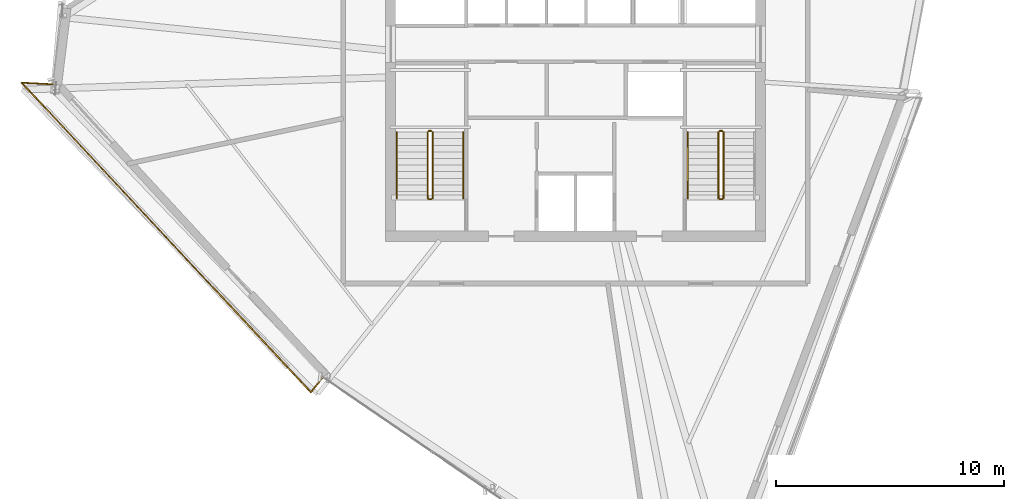
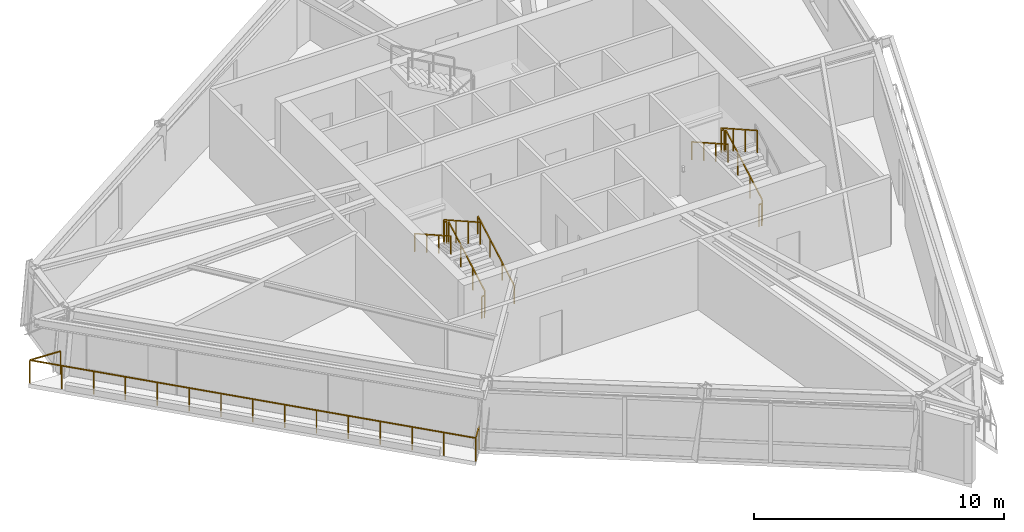
# One storey, part 11 of 13: 12 railings.
"""IFC4 building model written with IfcOpenShell, lengths in metres."""

from ifc_helpers import new_model, si_unit, direction, frame, origin, origin_2d, place, context, subcontext, project, spatial, rectangle, extrude, material, type_object, element, save


model = new_model("IFC4")

# Units and contexts
model_context = context("Model", 3, precision=1e-05, world=origin(), true_north=direction((0.0, 1.0)))
body_context = subcontext(model_context, "Body", "Model", "MODEL_VIEW")
ifc_project = project(units=[si_unit("LENGTHUNIT", "METRE"), si_unit("AREAUNIT", "SQUARE_METRE"), si_unit("VOLUMEUNIT", "CUBIC_METRE"), si_unit("PLANEANGLEUNIT", "RADIAN"), si_unit("MASSUNIT", "GRAM", prefix="KILO")], contexts=[model_context])

# Site, building, storey
site_placement = place(None, origin())
site = spatial("IfcSite", under=ifc_project, at=site_placement, CompositionType="ELEMENT")
building_placement = place(site_placement, origin())
building = spatial("IfcBuilding", under=site, at=building_placement, Name="Olszyna Solenne Hotel", CompositionType="ELEMENT")
storey_placement = place(building_placement, frame((0.0, 0.0, 241.699951171875)))
storey = spatial("IfcBuildingStorey", under=building, at=storey_placement, Name="L64", CompositionType="ELEMENT", Elevation=241.699951171875)

# Railings
ifc_material_1 = material(Name="Anodised bronze aluminium", Category="aluminium")
railing_type_1 = type_object("IfcRailingType", Name="GR-110", PredefinedType="BALUSTRADE", material=ifc_material_1)
railing_1_placement = place(storey_placement, frame((15.0419921875, 25.95068359375, 0.0)))
element("IfcRailing", 1, at=railing_1_placement, inside=storey, type_object=railing_type_1, Name="Loggia balcony balustrade guard GR-L64-LG2", PredefinedType="BALUSTRADE", context=body_context, shape_type="SweptSolid", body=[
    extrude(rectangle(XDim=0.048095703125, YDim=0.048095703125, at=origin_2d()), frame((0.0, 0.0, 1.1259765625), z_axis=(-0.998598199396, 0.052930484244, 0.0), x_axis=(-0.052930484244, -0.998598199396, 0.0)), (0.0, 0.0, 1.0), 1.379150390625),
    extrude(rectangle(XDim=0.048095703125, YDim=0.048095703125, at=origin_2d()), frame((-1.377197265625, 0.072998046875, 1.1259765625), z_axis=(0.682702772751, -0.730696191367, 0.0), x_axis=(0.730696191367, 0.682702772751, 0.0)), (0.0, 0.0, 1.0), 18.61328125),
    extrude(rectangle(XDim=0.048095703125, YDim=0.048095703125, at=origin_2d()), frame((11.330078125, -13.527587890625, 1.1259765625), z_axis=(0.631602301561, 0.775292546503, 0.0), x_axis=(-0.775292546503, 0.631602301561, 0.0)), (0.0, 0.0, 1.0), 0.84619140625),
    extrude(rectangle(XDim=0.0419921875, YDim=0.0419921875, at=origin_2d()), origin(), (0.0, 0.0, 1.0), 1.101806640625),
    extrude(rectangle(XDim=0.0419921875, YDim=0.0419921875, at=origin_2d()), frame((-1.377197265625, 0.072998046875, 0.0)), (0.0, 0.0, 1.0), 1.101806640625),
    extrude(rectangle(XDim=0.0419921875, YDim=0.0419921875, at=origin_2d()), frame((-0.469482421875, -0.8984375, 0.0)), (0.0, 0.0, 1.0), 1.101806640625),
    extrude(rectangle(XDim=0.0419921875, YDim=0.0419921875, at=origin_2d()), frame((0.438232421875, -1.869873046875, 0.0)), (0.0, 0.0, 1.0), 1.101806640625),
    extrude(rectangle(XDim=0.0419921875, YDim=0.0419921875, at=origin_2d()), frame((1.345703125, -2.84130859375, 0.0)), (0.0, 0.0, 1.0), 1.101806640625),
    extrude(rectangle(XDim=0.0419921875, YDim=0.0419921875, at=origin_2d()), frame((2.25341796875, -3.81298828125, 0.0)), (0.0, 0.0, 1.0), 1.101806640625),
    extrude(rectangle(XDim=0.0419921875, YDim=0.0419921875, at=origin_2d()), frame((3.1611328125, -4.784423828125, 0.0)), (0.0, 0.0, 1.0), 1.101806640625),
    extrude(rectangle(XDim=0.0419921875, YDim=0.0419921875, at=origin_2d()), frame((4.06884765625, -5.755859375, 0.0)), (0.0, 0.0, 1.0), 1.101806640625),
    extrude(rectangle(XDim=0.0419921875, YDim=0.0419921875, at=origin_2d()), frame((4.9765625, -6.727294921875, 0.0)), (0.0, 0.0, 1.0), 1.101806640625),
    extrude(rectangle(XDim=0.0419921875, YDim=0.0419921875, at=origin_2d()), frame((5.884033203125, -7.69873046875, 0.0)), (0.0, 0.0, 1.0), 1.101806640625),
    extrude(rectangle(XDim=0.0419921875, YDim=0.0419921875, at=origin_2d()), frame((6.791748046875, -8.670166015625, 0.0)), (0.0, 0.0, 1.0), 1.101806640625),
    extrude(rectangle(XDim=0.0419921875, YDim=0.0419921875, at=origin_2d()), frame((7.699462890625, -9.6416015625, 0.0)), (0.0, 0.0, 1.0), 1.101806640625),
    extrude(rectangle(XDim=0.0419921875, YDim=0.0419921875, at=origin_2d()), frame((8.607177734375, -10.61328125, 0.0)), (0.0, 0.0, 1.0), 1.101806640625),
    extrude(rectangle(XDim=0.0419921875, YDim=0.0419921875, at=origin_2d()), frame((9.5146484375, -11.584716796875, 0.0)), (0.0, 0.0, 1.0), 1.101806640625),
    extrude(rectangle(XDim=0.0419921875, YDim=0.0419921875, at=origin_2d()), frame((10.42236328125, -12.55615234375, 0.0)), (0.0, 0.0, 1.0), 1.101806640625),
    extrude(rectangle(XDim=0.0419921875, YDim=0.0419921875, at=origin_2d()), frame((11.330078125, -13.527587890625, 0.0)), (0.0, 0.0, 1.0), 1.101806640625),
    extrude(rectangle(XDim=0.0419921875, YDim=0.0419921875, at=origin_2d()), frame((11.864501953125, -12.87158203125, 0.0)), (0.0, 0.0, 1.0), 1.101806640625),
])
railing_2_placement = place(storey_placement, frame((31.719970703125, 20.949951171875, 0.16357421875)))
element("IfcRailing", 2, at=railing_2_placement, inside=storey, type_object=railing_type_1, Name="L64 ST1 stair guard 1", PredefinedType="BALUSTRADE", context=body_context, shape_type="SweptSolid", body=[
    extrude(rectangle(XDim=0.048095703125, YDim=0.048095703125, at=origin_2d()), frame((0.0, 0.0, 1.076171875), z_axis=(0.0, 0.870914908162, 0.491433843708), x_axis=(-1.0, 0.0, 0.0)), (0.0, 0.0, 1.0), 3.330078125),
    extrude(rectangle(XDim=0.0419921875, YDim=0.0419921875, at=origin_2d()), origin(), (0.0, 0.0, 1.0), 1.052001953125),
    extrude(rectangle(XDim=0.0419921875, YDim=0.0419921875, at=origin_2d()), frame((0.0, 0.966796875, 0.54541015625)), (0.0, 0.0, 1.0), 1.052001953125),
    extrude(rectangle(XDim=0.0419921875, YDim=0.0419921875, at=origin_2d()), frame((0.0, 1.933349609375, 1.091064453125)), (0.0, 0.0, 1.0), 1.052001953125),
    extrude(rectangle(XDim=0.0419921875, YDim=0.0419921875, at=origin_2d()), frame((0.0, 2.900146484375, 1.636474609375)), (0.0, 0.0, 1.0), 1.052001953125),
])
railing_3_placement = place(storey_placement, frame((31.669921875, 23.89990234375, 1.800048828125)))
element("IfcRailing", 3, at=railing_3_placement, inside=storey, type_object=railing_type_1, Name="L64 ST1 stair guard 2", PredefinedType="BALUSTRADE", context=body_context, shape_type="SweptSolid", body=[
    extrude(rectangle(XDim=0.048095703125, YDim=0.048095703125, at=origin_2d()), frame((0.0, 0.0, 1.076171875), z_axis=(-1.0, 0.0, 0.0), x_axis=(0.0, -1.0, 0.0)), (0.0, 0.0, 1.0), 0.119873046875),
    extrude(rectangle(XDim=0.0419921875, YDim=0.0419921875, at=origin_2d()), origin(), (0.0, 0.0, 1.0), 1.052001953125),
    extrude(rectangle(XDim=0.0419921875, YDim=0.0419921875, at=origin_2d()), frame((-0.119873046875, 0.0, 0.0)), (0.0, 0.0, 1.0), 1.052001953125),
])
railing_4_placement = place(storey_placement, frame((31.5, 23.85009765625, 1.963623046875)))
element("IfcRailing", 4, at=railing_4_placement, inside=storey, type_object=railing_type_1, Name="L64 ST1 stair guard 3", PredefinedType="BALUSTRADE", context=body_context, shape_type="SweptSolid", body=[
    extrude(rectangle(XDim=0.048095703125, YDim=0.048095703125, at=origin_2d()), frame((0.0, 0.0, 1.076171875), z_axis=(0.0, -0.870914908162, 0.491433843708), x_axis=(1.0, 0.0, 0.0)), (0.0, 0.0, 1.0), 3.330078125),
    extrude(rectangle(XDim=0.0419921875, YDim=0.0419921875, at=origin_2d()), origin(), (0.0, 0.0, 1.0), 1.052001953125),
    extrude(rectangle(XDim=0.0419921875, YDim=0.0419921875, at=origin_2d()), frame((0.0, -0.966796875, 0.54541015625)), (0.0, 0.0, 1.0), 1.052001953125),
    extrude(rectangle(XDim=0.0419921875, YDim=0.0419921875, at=origin_2d()), frame((0.0, -1.933349609375, 1.091064453125)), (0.0, 0.0, 1.0), 1.052001953125),
    extrude(rectangle(XDim=0.0419921875, YDim=0.0419921875, at=origin_2d()), frame((0.0, -2.900146484375, 1.636474609375)), (0.0, 0.0, 1.0), 1.052001953125),
])
railing_5_placement = place(storey_placement, frame((31.669921875, 20.89990234375, 0.0)))
element("IfcRailing", 5, at=railing_5_placement, inside=storey, type_object=railing_type_1, Name="L64 ST1 stair guard 4", PredefinedType="BALUSTRADE", context=body_context, shape_type="SweptSolid", body=[
    extrude(rectangle(XDim=0.048095703125, YDim=0.048095703125, at=origin_2d()), frame((0.0, 0.0, 1.076171875), z_axis=(-1.0, 0.0, 0.0), x_axis=(0.0, -1.0, 0.0)), (0.0, 0.0, 1.0), 0.119873046875),
    extrude(rectangle(XDim=0.0419921875, YDim=0.0419921875, at=origin_2d()), origin(), (0.0, 0.0, 1.0), 1.052001953125),
    extrude(rectangle(XDim=0.0419921875, YDim=0.0419921875, at=origin_2d()), frame((-0.119873046875, 0.0, 0.0)), (0.0, 0.0, 1.0), 1.052001953125),
])
railing_6_placement = place(storey_placement, frame((44.5, 20.949951171875, 0.16357421875)))
element("IfcRailing", 6, at=railing_6_placement, inside=storey, type_object=railing_type_1, Name="L64 ST2 stair guard 1", PredefinedType="BALUSTRADE", context=body_context, shape_type="SweptSolid", body=[
    extrude(rectangle(XDim=0.048095703125, YDim=0.048095703125, at=origin_2d()), frame((0.0, 0.0, 1.076171875), z_axis=(0.0, 0.870914908162, 0.491433843708), x_axis=(-1.0, 0.0, 0.0)), (0.0, 0.0, 1.0), 3.330078125),
    extrude(rectangle(XDim=0.0419921875, YDim=0.0419921875, at=origin_2d()), origin(), (0.0, 0.0, 1.0), 1.052001953125),
    extrude(rectangle(XDim=0.0419921875, YDim=0.0419921875, at=origin_2d()), frame((0.0, 0.966796875, 0.54541015625)), (0.0, 0.0, 1.0), 1.052001953125),
    extrude(rectangle(XDim=0.0419921875, YDim=0.0419921875, at=origin_2d()), frame((0.0, 1.933349609375, 1.091064453125)), (0.0, 0.0, 1.0), 1.052001953125),
    extrude(rectangle(XDim=0.0419921875, YDim=0.0419921875, at=origin_2d()), frame((0.0, 2.900146484375, 1.636474609375)), (0.0, 0.0, 1.0), 1.052001953125),
])
railing_7_placement = place(storey_placement, frame((44.449951171875, 23.89990234375, 1.800048828125)))
element("IfcRailing", 7, at=railing_7_placement, inside=storey, type_object=railing_type_1, Name="L64 ST2 stair guard 2", PredefinedType="BALUSTRADE", context=body_context, shape_type="SweptSolid", body=[
    extrude(rectangle(XDim=0.048095703125, YDim=0.048095703125, at=origin_2d()), frame((0.0, 0.0, 1.076171875), z_axis=(-1.0, 0.0, 0.0), x_axis=(0.0, -1.0, 0.0)), (0.0, 0.0, 1.0), 0.119873046875),
    extrude(rectangle(XDim=0.0419921875, YDim=0.0419921875, at=origin_2d()), origin(), (0.0, 0.0, 1.0), 1.052001953125),
    extrude(rectangle(XDim=0.0419921875, YDim=0.0419921875, at=origin_2d()), frame((-0.119873046875, 0.0, 0.0)), (0.0, 0.0, 1.0), 1.052001953125),
])
railing_8_placement = place(storey_placement, frame((44.280029296875, 23.85009765625, 1.963623046875)))
element("IfcRailing", 8, at=railing_8_placement, inside=storey, type_object=railing_type_1, Name="L64 ST2 stair guard 3", PredefinedType="BALUSTRADE", context=body_context, shape_type="SweptSolid", body=[
    extrude(rectangle(XDim=0.048095703125, YDim=0.048095703125, at=origin_2d()), frame((0.0, 0.0, 1.076171875), z_axis=(0.0, -0.870914908162, 0.491433843708), x_axis=(1.0, 0.0, 0.0)), (0.0, 0.0, 1.0), 3.330078125),
    extrude(rectangle(XDim=0.0419921875, YDim=0.0419921875, at=origin_2d()), origin(), (0.0, 0.0, 1.0), 1.052001953125),
    extrude(rectangle(XDim=0.0419921875, YDim=0.0419921875, at=origin_2d()), frame((0.0, -0.966796875, 0.54541015625)), (0.0, 0.0, 1.0), 1.052001953125),
    extrude(rectangle(XDim=0.0419921875, YDim=0.0419921875, at=origin_2d()), frame((0.0, -1.933349609375, 1.091064453125)), (0.0, 0.0, 1.0), 1.052001953125),
    extrude(rectangle(XDim=0.0419921875, YDim=0.0419921875, at=origin_2d()), frame((0.0, -2.900146484375, 1.636474609375)), (0.0, 0.0, 1.0), 1.052001953125),
])
railing_9_placement = place(storey_placement, frame((44.449951171875, 20.89990234375, 0.0)))
element("IfcRailing", 9, at=railing_9_placement, inside=storey, type_object=railing_type_1, Name="L64 ST2 stair guard 4", PredefinedType="BALUSTRADE", context=body_context, shape_type="SweptSolid", body=[
    extrude(rectangle(XDim=0.048095703125, YDim=0.048095703125, at=origin_2d()), frame((0.0, 0.0, 1.076171875), z_axis=(-1.0, 0.0, 0.0), x_axis=(0.0, -1.0, 0.0)), (0.0, 0.0, 1.0), 0.119873046875),
    extrude(rectangle(XDim=0.0419921875, YDim=0.0419921875, at=origin_2d()), origin(), (0.0, 0.0, 1.0), 1.052001953125),
    extrude(rectangle(XDim=0.0419921875, YDim=0.0419921875, at=origin_2d()), frame((-0.119873046875, 0.0, 0.0)), (0.0, 0.0, 1.0), 1.052001953125),
])
ifc_material_2 = material(Name="Steel S355J2", Category="steel")
railing_type_2 = type_object("IfcRailingType", Name="HR-090", PredefinedType="HANDRAIL", material=ifc_material_2)
railing_10_placement = place(storey_placement, frame((33.070068359375, 20.949951171875, 0.16357421875)))
element("IfcRailing", 10, at=railing_10_placement, inside=storey, type_object=railing_type_2, Name="L64 ST1 stair handrail 1", PredefinedType="HANDRAIL", context=body_context, shape_type="SweptSolid", body=[
    extrude(rectangle(XDim=0.048095703125, YDim=0.048095703125, at=origin_2d()), frame((0.0, 0.0, 0.8759765625), z_axis=(0.0, 0.870914908162, 0.491433843708), x_axis=(-1.0, 0.0, 0.0)), (0.0, 0.0, 1.0), 3.330078125),
    extrude(rectangle(XDim=0.0419921875, YDim=0.0419921875, at=origin_2d()), origin(), (0.0, 0.0, 1.0), 0.851806640625),
    extrude(rectangle(XDim=0.0419921875, YDim=0.0419921875, at=origin_2d()), frame((0.0, 0.966796875, 0.54541015625)), (0.0, 0.0, 1.0), 0.851806640625),
    extrude(rectangle(XDim=0.0419921875, YDim=0.0419921875, at=origin_2d()), frame((0.0, 1.933349609375, 1.091064453125)), (0.0, 0.0, 1.0), 0.851806640625),
    extrude(rectangle(XDim=0.0419921875, YDim=0.0419921875, at=origin_2d()), frame((0.0, 2.900146484375, 1.636474609375)), (0.0, 0.0, 1.0), 0.851806640625),
])
for number, where, name in (
    (11, (30.14990234375, 23.85009765625, 1.963623046875), "L64 ST1 stair handrail 2"),
    (12, (42.929931640625, 23.85009765625, 1.963623046875), "L64 ST2 stair handrail 2"),
):
    element("IfcRailing", number, at=place(storey_placement, frame(where)), inside=storey, type_object=railing_type_2, Name=name, PredefinedType="HANDRAIL", context=body_context, shape_type="SweptSolid", body=[
        extrude(rectangle(XDim=0.048095703125, YDim=0.048095703125, at=origin_2d()), frame((0.0, 0.0, 0.8759765625), z_axis=(0.0, -0.870914908162, 0.491433843708), x_axis=(1.0, 0.0, 0.0)), (0.0, 0.0, 1.0), 3.330078125),
        extrude(rectangle(XDim=0.0419921875, YDim=0.0419921875, at=origin_2d()), origin(), (0.0, 0.0, 1.0), 0.851806640625),
        extrude(rectangle(XDim=0.0419921875, YDim=0.0419921875, at=origin_2d()), frame((0.0, -0.966796875, 0.54541015625)), (0.0, 0.0, 1.0), 0.851806640625),
        extrude(rectangle(XDim=0.0419921875, YDim=0.0419921875, at=origin_2d()), frame((0.0, -1.933349609375, 1.091064453125)), (0.0, 0.0, 1.0), 0.851806640625),
        extrude(rectangle(XDim=0.0419921875, YDim=0.0419921875, at=origin_2d()), frame((0.0, -2.900146484375, 1.636474609375)), (0.0, 0.0, 1.0), 0.851806640625),
    ])

save(model, "model.ifc")
